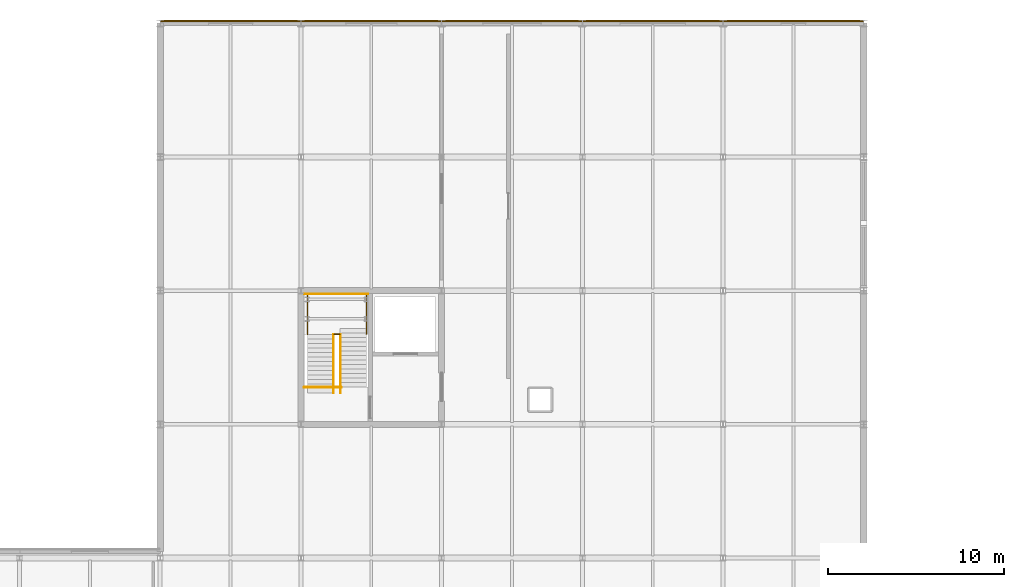
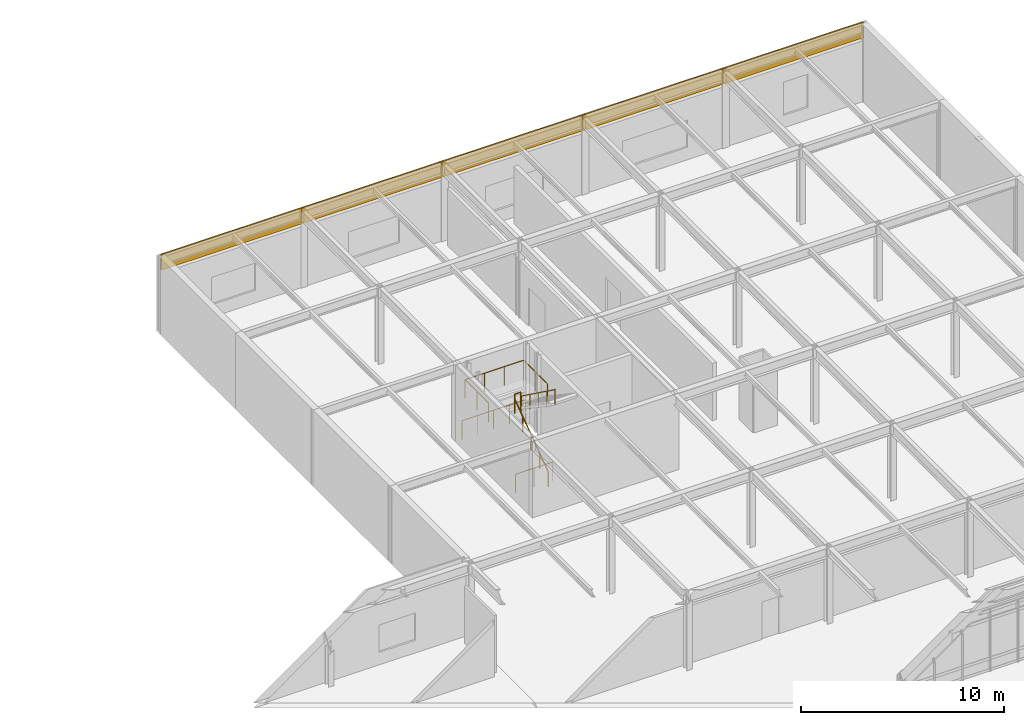
# One storey, part 102 of 104: 6 railings, 5 coverings.
"""IFC4 building model written with IfcOpenShell, lengths in metres."""

from ifc_helpers import new_model, si_unit, direction, frame, origin, origin_2d, place, context, subcontext, project, spatial, rectangle, circle, extrude, material, layer, layer_set, type_object, element, save


model = new_model("IFC4")

# Units and contexts
model_context = context("Model", 3, precision=1e-05, world=origin(), true_north=direction((0.0, 1.0)))
body_context = subcontext(model_context, "Body", "Model", "MODEL_VIEW")
ifc_project = project(units=[si_unit("LENGTHUNIT", "METRE"), si_unit("AREAUNIT", "SQUARE_METRE"), si_unit("VOLUMEUNIT", "CUBIC_METRE"), si_unit("PLANEANGLEUNIT", "RADIAN"), si_unit("MASSUNIT", "GRAM", prefix="KILO")], contexts=[model_context])

# Site, building, storey
site_placement = place(None, origin())
site = spatial("IfcSite", under=ifc_project, at=site_placement, CompositionType="ELEMENT")
building_placement = place(site_placement, origin())
building = spatial("IfcBuilding", under=site, at=building_placement, Name="Zulena Civic Courthouse", CompositionType="ELEMENT")
storey_placement = place(building_placement, frame((0.0, 0.0, 15.60009765625)))
storey = spatial("IfcBuildingStorey", under=building, at=storey_placement, Name="L03", CompositionType="ELEMENT", Elevation=15.60009765625)

# Railings
ifc_material_1 = material(Name="Brushed architectural steel ASTM A36", Category="steel")
railing_type_1 = type_object("IfcRailingType", Name="InteriorGuardrail_1150", PredefinedType="GUARDRAIL", material=ifc_material_1)
railing_1_placement = place(storey_placement, frame((76.199951171875, 75.81005859375, 0.0)))
element("IfcRailing", 1, at=railing_1_placement, inside=storey, type_object=railing_type_1, Name="gr:wellN:K5B:L02", PredefinedType="GUARDRAIL", context=body_context, shape_type="SweptSolid", body=[
    extrude(circle(Radius=0.02392578125, at=origin_2d()), frame((0.00390625, 0.0, 1.1259765625), z_axis=(1.0, 0.0, 0.0), x_axis=(0.0, 1.0, 0.0)), (0.0, 0.0, 1.0), 3.592041015625),
    extrude(circle(Radius=0.02099609375, at=origin_2d()), origin(), (0.0, 0.0, 1.0), 1.097900390625),
    extrude(circle(Radius=0.02099609375, at=origin_2d()), frame((0.89990234375, 0.0, 0.0)), (0.0, 0.0, 1.0), 1.097900390625),
    extrude(circle(Radius=0.02099609375, at=origin_2d()), frame((1.800048828125, 0.0, 0.0)), (0.0, 0.0, 1.0), 1.097900390625),
    extrude(circle(Radius=0.02099609375, at=origin_2d()), frame((2.7001953125, 0.0, 0.0)), (0.0, 0.0, 1.0), 1.097900390625),
    extrude(circle(Radius=0.02099609375, at=origin_2d()), frame((3.60009765625, 0.0, 0.0)), (0.0, 0.0, 1.0), 1.097900390625),
])
railing_2_placement = place(storey_placement, frame((76.179931640625, 70.5, 0.0)))
element("IfcRailing", 2, at=railing_2_placement, inside=storey, type_object=railing_type_1, Name="gr:wells:K5B:L03", PredefinedType="GUARDRAIL", context=body_context, shape_type="SweptSolid", body=[
    extrude(circle(Radius=0.02392578125, at=origin_2d()), frame((0.00390625, 0.0, 1.1259765625), z_axis=(1.0, 0.0, 0.0), x_axis=(0.0, 1.0, 0.0)), (0.0, 0.0, 1.0), 2.112060546875),
    extrude(circle(Radius=0.02099609375, at=origin_2d()), origin(), (0.0, 0.0, 1.0), 1.097900390625),
    extrude(circle(Radius=0.02099609375, at=origin_2d()), frame((1.06005859375, 0.0, 0.0)), (0.0, 0.0, 1.0), 1.097900390625),
    extrude(circle(Radius=0.02099609375, at=origin_2d()), frame((2.1201171875, 0.0, 0.0)), (0.0, 0.0, 1.0), 1.097900390625),
])
railing_3_placement = place(storey_placement, frame((76.3798828125, 73.49462890625, 2.39990234375)))
element("IfcRailing", 3, at=railing_3_placement, inside=storey, type_object=railing_type_1, Name="gr:lnd:K5B:L03", PredefinedType="GUARDRAIL", context=body_context, shape_type="SweptSolid", body=[
    extrude(circle(Radius=0.02392578125, at=origin_2d()), frame((0.0, 0.00390625, 1.1259765625), z_axis=(0.0, 1.0, 0.0), x_axis=(-1.0, 0.0, 0.0)), (0.0, 0.0, 1.0), 2.3173828125),
    extrude(circle(Radius=0.02392578125, at=origin_2d()), frame((0.00390625, 2.325439453125, 1.1259765625), z_axis=(1.0, 0.0, 0.0), x_axis=(0.0, 1.0, 0.0)), (0.0, 0.0, 1.0), 3.33203125),
    extrude(circle(Radius=0.02392578125, at=origin_2d()), frame((3.340087890625, 2.321533203125, 1.1259765625), z_axis=(0.0, -1.0, 0.0), x_axis=(1.0, 0.0, 0.0)), (0.0, 0.0, 1.0), 2.3173828125),
    extrude(circle(Radius=0.02099609375, at=origin_2d()), origin(), (0.0, 0.0, 1.0), 1.097900390625),
    extrude(circle(Radius=0.02099609375, at=origin_2d()), frame((0.0, 1.16259765625, 0.0)), (0.0, 0.0, 1.0), 1.097900390625),
    extrude(circle(Radius=0.02099609375, at=origin_2d()), frame((0.0, 2.325439453125, 0.0)), (0.0, 0.0, 1.0), 1.097900390625),
    extrude(circle(Radius=0.02099609375, at=origin_2d()), frame((1.11328125, 2.325439453125, 0.0)), (0.0, 0.0, 1.0), 1.097900390625),
    extrude(circle(Radius=0.02099609375, at=origin_2d()), frame((2.226806640625, 2.325439453125, 0.0)), (0.0, 0.0, 1.0), 1.097900390625),
    extrude(circle(Radius=0.02099609375, at=origin_2d()), frame((3.340087890625, 2.325439453125, 0.0)), (0.0, 0.0, 1.0), 1.097900390625),
    extrude(circle(Radius=0.02099609375, at=origin_2d()), frame((3.340087890625, 1.16259765625, 0.0)), (0.0, 0.0, 1.0), 1.097900390625),
    extrude(circle(Radius=0.02099609375, at=origin_2d()), frame((3.340087890625, 0.0, 0.0)), (0.0, 0.0, 1.0), 1.097900390625),
])
railing_4_placement = place(storey_placement, frame((77.8798828125, 73.514892578125, 2.39990234375)))
element("IfcRailing", 4, at=railing_4_placement, inside=storey, type_object=railing_type_1, Name="gr:lndslot:K5B:L03", PredefinedType="GUARDRAIL", context=body_context, shape_type="SweptSolid", body=[
    extrude(circle(Radius=0.02392578125, at=origin_2d()), frame((0.00390625, 0.0, 1.1259765625), z_axis=(1.0, 0.0, 0.0), x_axis=(0.0, 1.0, 0.0)), (0.0, 0.0, 1.0), 0.33203125),
    extrude(circle(Radius=0.02099609375, at=origin_2d()), origin(), (0.0, 0.0, 1.0), 1.097900390625),
    extrude(circle(Radius=0.02099609375, at=origin_2d()), frame((0.340087890625, 0.0, 0.0)), (0.0, 0.0, 1.0), 1.097900390625),
])

# Coverings
ifc_material_2 = material(Name="White architectural precast concrete C40/50", Category="concrete")
ifc_layer = layer(ifc_material_2, 0.0849609375)
ifc_layer_set = layer_set([ifc_layer], Name="White architectural precast concrete C40/50")
covering_type = type_object("IfcCoveringType", Name="PrecastSpandrelCladding_85", PredefinedType="CLADDING", material=ifc_layer_set)
for number, where, z_axis, x_axis, name in (
    (5, (72.0, 91.320068359375, 3.659912109375), (0.0, 0.0, 1.0), (1.0, 0.0, 0.0), "clad:sp:V5:L03:3:0"),
    (6, (80.0, 91.320068359375, 3.659912109375), (0.0, 0.0, 1.0), (1.0, 0.0, 0.0), "clad:sp:V5:L03:3:1"),
    (7, (88.0, 91.320068359375, 3.659912109375), (0.0, 0.0, 1.0), (1.0, 0.0, 0.0), "clad:sp:V5:L03:3:2"),
    (8, (96.0, 91.320068359375, 3.659912109375), (0.0, 0.0, 1.0), (1.0, 0.0, 0.0), "clad:sp:V5:L03:3:3"),
    (9, (104.0, 91.320068359375, 3.659912109375), (0.0, 0.0, 1.0), (1.0, 0.0, 0.0), "clad:sp:V5:L03:3:4"),
):
    element("IfcCovering", number, at=place(storey_placement, frame(where, z_axis=z_axis, x_axis=x_axis)), inside=storey, type_object=covering_type, Name=name, PredefinedType="CLADDING", context=body_context, shape_type="SweptSolid", body=[
        extrude(rectangle(XDim=7.9599609375, YDim=0.0849609375, at=origin_2d()), origin(), (0.0, 0.0, 1.0), 0.93994140625),
    ])

# Railings
railing_type_2 = type_object("IfcRailingType", Name="StairHandrail_920", PredefinedType="HANDRAIL", material=ifc_material_1)
railing_5_placement = place(storey_placement, frame((77.85009765625, 70.179931640625, 0.0)))
element("IfcRailing", 10, at=railing_5_placement, inside=storey, type_object=railing_type_2, Name="hr:K5B:L03:1", PredefinedType="HANDRAIL", context=body_context, shape_type="SweptSolid", body=[
    extrude(circle(Radius=0.02392578125, at=origin_2d()), frame((0.0, 0.003173828125, 0.898193359375), z_axis=(0.0, 0.80998804985, 0.586446382119), x_axis=(-1.0, 0.0, 0.0)), (0.0, 0.0, 1.0), 4.084228515625),
    extrude(circle(Radius=0.02099609375, at=origin_2d()), origin(), (0.0, 0.0, 1.0), 0.867919921875),
    extrude(circle(Radius=0.02099609375, at=origin_2d()), frame((0.0, 0.82861328125, 0.60009765625)), (0.0, 0.0, 1.0), 0.867919921875),
    extrude(circle(Radius=0.02099609375, at=origin_2d()), frame((0.0, 1.6572265625, 1.199951171875)), (0.0, 0.0, 1.0), 0.867919921875),
    extrude(circle(Radius=0.02099609375, at=origin_2d()), frame((0.0, 2.486083984375, 1.7998046875)), (0.0, 0.0, 1.0), 0.867919921875),
    extrude(circle(Radius=0.02099609375, at=origin_2d()), frame((0.0, 3.314697265625, 2.39990234375)), (0.0, 0.0, 1.0), 0.867919921875),
])
railing_6_placement = place(storey_placement, frame((78.25, 73.49462890625, 2.39990234375)))
element("IfcRailing", 11, at=railing_6_placement, inside=storey, type_object=railing_type_2, Name="hr:K5B:L03:2", PredefinedType="HANDRAIL", context=body_context, shape_type="SweptSolid", body=[
    extrude(circle(Radius=0.02392578125, at=origin_2d()), frame((0.0, -0.003173828125, 0.898193359375), z_axis=(0.0, -0.80998804985, 0.586446382119), x_axis=(1.0, 0.0, 0.0)), (0.0, 0.0, 1.0), 4.084228515625),
    extrude(circle(Radius=0.02099609375, at=origin_2d()), origin(), (0.0, 0.0, 1.0), 0.867919921875),
    extrude(circle(Radius=0.02099609375, at=origin_2d()), frame((0.0, -0.82861328125, 0.60009765625)), (0.0, 0.0, 1.0), 0.867919921875),
    extrude(circle(Radius=0.02099609375, at=origin_2d()), frame((0.0, -1.6572265625, 1.199951171875)), (0.0, 0.0, 1.0), 0.867919921875),
    extrude(circle(Radius=0.02099609375, at=origin_2d()), frame((0.0, -2.486083984375, 1.7998046875)), (0.0, 0.0, 1.0), 0.867919921875),
    extrude(circle(Radius=0.02099609375, at=origin_2d()), frame((0.0, -3.314697265625, 2.39990234375)), (0.0, 0.0, 1.0), 0.867919921875),
])

save(model, "model.ifc")
